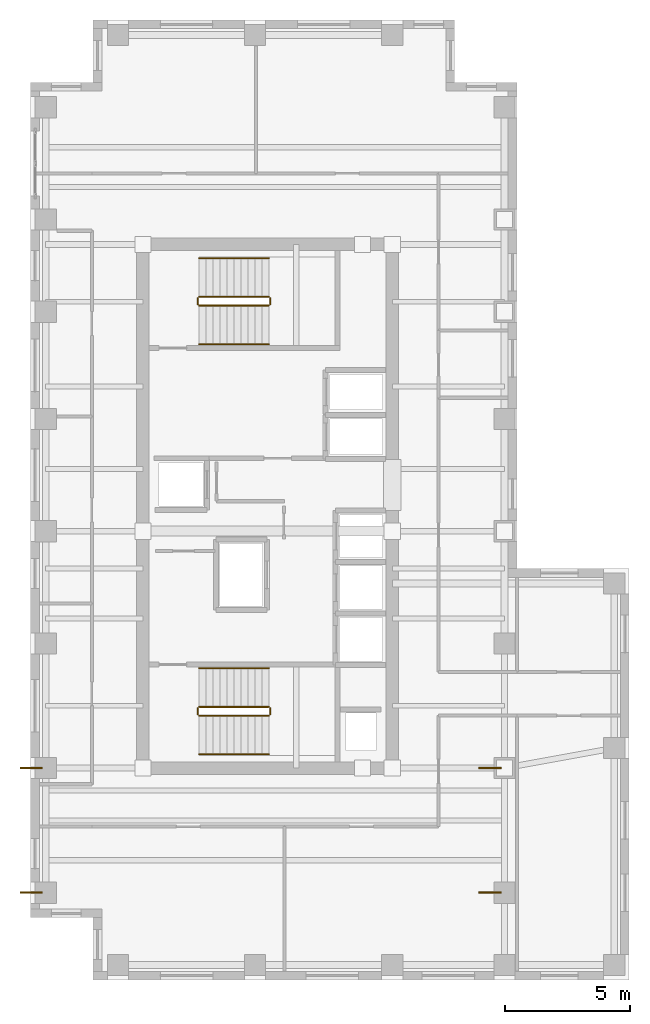
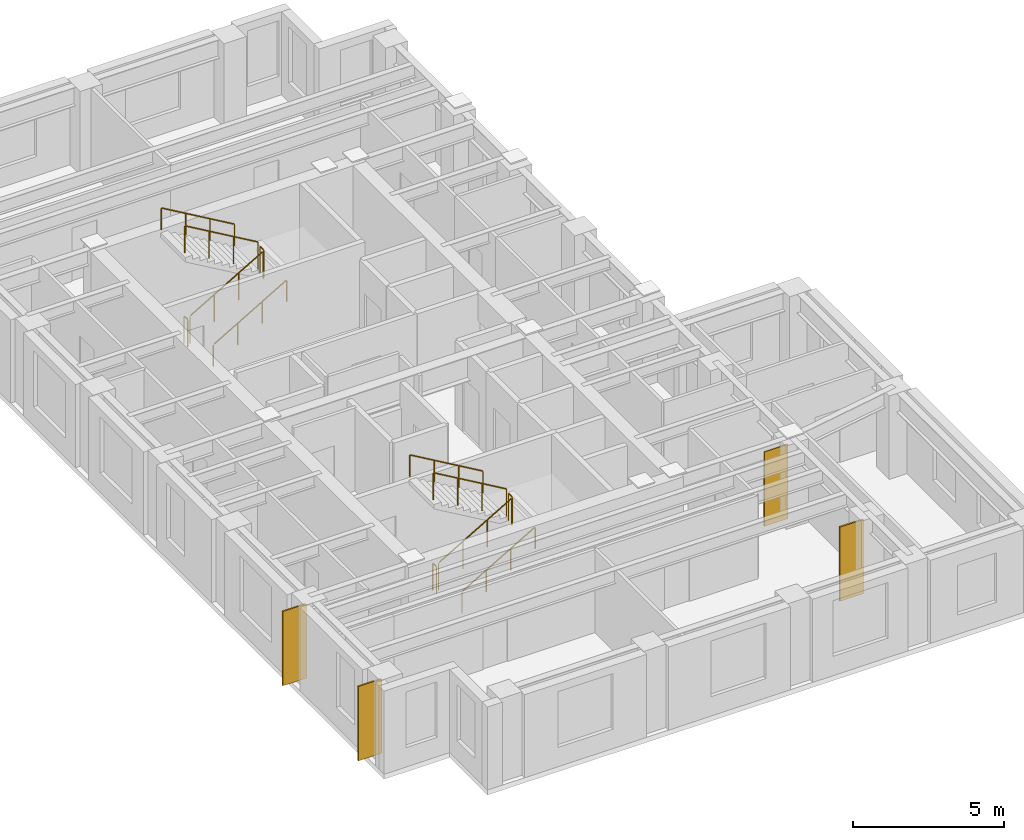
# One storey, part 10 of 10: 12 railings, 4 coverings.
"""IFC4 building model written with IfcOpenShell, lengths in metres."""

import ifcopenshell
import ifcopenshell.guid

model = None  # the IFC model being written
_history = None  # IfcOwnerHistory: only IFC2X3 demands one
_inside = {}  # id of a spatial element -> (the spatial element, [elements in it])
_under = {}  # id of a project, library or spatial element -> (it, [spatial elements below it])
_declared = {}  # id of a project -> (the project, [libraries it declares])
_typed = {}  # id of a type object -> (the type object, [elements of that type])
_made_of = {}  # id of a material, layer set ... -> (it, [elements and type objects made of it])


def new_model(schema):
    """Start an empty IFC model of exactly this schema.

    Asked for "IFC4X3", IfcOpenShell would pick the latest addendum, in which some entities
    have other attributes; the version numbers below select the first issue.
    IFC2X3 requires an IfcOwnerHistory on every rooted entity: one is made here for all.
    """
    global model, _history
    if schema == "IFC4X3":
        model = ifcopenshell.file(schema_version=(4, 3, 0, 0))
    else:
        model = ifcopenshell.file(schema=schema)
    _inside.clear()
    _under.clear()
    _declared.clear()
    _typed.clear()
    _made_of.clear()
    _history = None
    if model.schema == "IFC2X3":
        org = make("IfcOrganization", Name="unknown")
        user = make(
            "IfcPersonAndOrganization",
            ThePerson=make("IfcPerson", FamilyName="unknown"),
            TheOrganization=org,
        )
        app = make(
            "IfcApplication",
            ApplicationDeveloper=org,
            Version="unknown",
            ApplicationFullName="unknown",
            ApplicationIdentifier="unknown",
        )
        _history = make(
            "IfcOwnerHistory",
            OwningUser=user,
            OwningApplication=app,
            ChangeAction="ADDED",
            CreationDate=0,
        )
    return model


def make(cls, **values):
    """One entity of the class cls with the attributes given. An attribute that is None is left unset."""
    return model.create_entity(
        cls, **{name: value for name, value in values.items() if value is not None}
    )


def rooted(cls, **values):
    """An entity with a GlobalId (a new one), such as an element, a storey or a relation."""
    return make(cls, GlobalId=ifcopenshell.guid.new(), OwnerHistory=_history, **values)


def si_unit(unit_type, name, prefix=None):
    """IfcSIUnit, for example si_unit("LENGTHUNIT", "METRE", prefix="MILLI")."""
    return make("IfcSIUnit", UnitType=unit_type, Prefix=prefix, Name=name)


def assignment(units):
    """IfcUnitAssignment: the units of a project."""
    return None if units is None else make("IfcUnitAssignment", Units=units)


def point(xyz):
    """IfcCartesianPoint."""
    return None if xyz is None else make("IfcCartesianPoint", Coordinates=xyz)


def direction(xyz):
    """IfcDirection."""
    return None if xyz is None else make("IfcDirection", DirectionRatios=xyz)


def frame(location, z_axis=None, x_axis=None):
    """IfcAxis2Placement3D, a coordinate frame: its origin and axes. An axis left out is left unset."""
    return make(
        "IfcAxis2Placement3D",
        Location=point(location),
        Axis=direction(z_axis),
        RefDirection=direction(x_axis),
    )


def frame_2d(location, x_axis=None):
    """IfcAxis2Placement2D, a coordinate frame in the plane: its origin and x axis."""
    return make(
        "IfcAxis2Placement2D", Location=point(location), RefDirection=direction(x_axis)
    )


def origin():
    """The frame at (0, 0, 0) with its axes left unset."""
    return frame((0.0, 0.0, 0.0))


def origin_2d():
    """The frame at (0, 0) in the plane with its x axis left unset."""
    return frame_2d((0.0, 0.0))


def place(relative_to, where):
    """IfcLocalPlacement: puts the frame where relative to a parent placement (None: the world)."""
    return make(
        "IfcLocalPlacement", PlacementRelTo=relative_to, RelativePlacement=where
    )


def context(
    kind, dimensions, precision=None, world=None, true_north=None, identifier=None
):
    """IfcGeometricRepresentationContext, for example the 3D "Model" context."""
    return make(
        "IfcGeometricRepresentationContext",
        ContextIdentifier=identifier,
        ContextType=kind,
        CoordinateSpaceDimension=dimensions,
        Precision=precision,
        WorldCoordinateSystem=world,
        TrueNorth=true_north,
    )


def subcontext(parent, identifier, kind, view, scale=None):
    """IfcGeometricRepresentationSubContext, for example "Body" below "Model"."""
    return make(
        "IfcGeometricRepresentationSubContext",
        ContextIdentifier=identifier,
        ContextType=kind,
        ParentContext=parent,
        TargetScale=scale,
        TargetView=view,
    )


def project(units=None, contexts=None):
    """IfcProject with its units and contexts."""
    return rooted(
        "IfcProject",
        Name="project",
        RepresentationContexts=contexts,
        UnitsInContext=assignment(units),
    )


def spatial(cls, under=None, at=None, **own):
    """A site, building, storey or space (cls), placed at a placement, below another one or the project."""
    s = rooted(cls, ObjectPlacement=at, **own)
    if under is not None:
        _under.setdefault(under.id(), (under, []))[1].append(s)
    return s


def profile(cls, at=None, kind="AREA", **sizes):
    """A parametric profile (cls). Its sizes go by their IFC names, for example OverallWidth=200.0."""
    return make(cls, ProfileType=kind, Position=at, **sizes)


def rectangle(**sizes):
    """IfcRectangleProfileDef."""
    return profile("IfcRectangleProfileDef", **sizes)


def circle(**sizes):
    """IfcCircleProfileDef."""
    return profile("IfcCircleProfileDef", **sizes)


def extrude(swept, where, along, depth):
    """IfcExtrudedAreaSolid: the profile swept, set in the frame where, extruded along a direction by depth."""
    return make(
        "IfcExtrudedAreaSolid",
        SweptArea=swept,
        Position=where,
        ExtrudedDirection=direction(along),
        Depth=depth,
    )


def shape(context_of_items, identifier, shape_type, items):
    """IfcShapeRepresentation: the items that make up one representation, for example the "Body"."""
    return make(
        "IfcShapeRepresentation",
        ContextOfItems=context_of_items,
        RepresentationIdentifier=identifier,
        RepresentationType=shape_type,
        Items=items,
    )


def source(mapping_origin, context_of_items, identifier, shape_type, items):
    """IfcRepresentationMap: a shape defined once, which mapped items show again and again."""
    return make(
        "IfcRepresentationMap",
        MappingOrigin=mapping_origin,
        MappedRepresentation=shape(context_of_items, identifier, shape_type, items),
    )


def transform(
    local_origin,
    x_axis=None,
    y_axis=None,
    z_axis=None,
    scale=None,
    scale2=None,
    scale3=None,
    uniform=True,
):
    """IfcCartesianTransformationOperator3D, or its non-uniform kind. x_axis, y_axis, z_axis: its Axis1, 2, 3."""
    if uniform:
        return make(
            "IfcCartesianTransformationOperator3D",
            Axis1=direction(x_axis),
            Axis2=direction(y_axis),
            LocalOrigin=point(local_origin),
            Scale=scale,
            Axis3=direction(z_axis),
        )
    return make(
        "IfcCartesianTransformationOperator3DnonUniform",
        Axis1=direction(x_axis),
        Axis2=direction(y_axis),
        LocalOrigin=point(local_origin),
        Scale=scale,
        Axis3=direction(z_axis),
        Scale2=scale2,
        Scale3=scale3,
    )


def mapped(mapping_source, mapping_target):
    """IfcMappedItem: shows the shape of a source again, moved by a transform."""
    return make(
        "IfcMappedItem", MappingSource=mapping_source, MappingTarget=mapping_target
    )


def material(Name=None, Category=None):
    """IfcMaterial."""
    return make("IfcMaterial", Name=Name, Category=Category)


def layer(
    of_material, thickness, ventilated=None, Name=None, Category=None, Priority=None
):
    """IfcMaterialLayer: one layer of a wall or slab, of a material (None: an air gap)."""
    return make(
        "IfcMaterialLayer",
        Material=of_material,
        LayerThickness=thickness,
        IsVentilated=ventilated,
        Name=Name,
        Category=Category,
        Priority=Priority,
    )


def layer_set(layers, Name=None):
    """IfcMaterialLayerSet."""
    return make("IfcMaterialLayerSet", MaterialLayers=layers, LayerSetName=Name)


def made_of(thing, what):
    """Note that an element or type object is made of a material, layer set ...; save() writes the relation."""
    if what is not None:
        _made_of.setdefault(what.id(), (what, []))[1].append(thing)
    return thing


def type_object(cls, material=None, **own):
    """A type object (cls), such as IfcWallType, which elements share."""
    return made_of(rooted(cls, **own), material)


def element(
    cls,
    number,
    at=None,
    inside=None,
    cuts=None,
    type_object=None,
    material=None,
    context=None,
    identifier="Body",
    shape_type=None,
    held_by="IfcProductDefinitionShape",
    body=None,
    shapes=None,
    **own,
):
    """One element of the class cls, such as IfcWall. Its Tag is "e" and its number.

    at: its placement. inside: the storey or other place that contains it. cuts: it is an
    opening in that element (IfcRelVoidsElement). A single representation is given by context,
    identifier, shape_type and body (its items); several are given by shapes. held_by: the class
    of the entity that holds the representations. save() writes the other relations.
    """
    e = rooted(cls, Tag="e%d" % number, ObjectPlacement=at, **own)
    if body is not None:
        shapes = [shape(context, identifier, shape_type, body)]
    if shapes is not None:
        e.Representation = make(held_by, Representations=shapes)
    if inside is not None:
        _inside.setdefault(inside.id(), (inside, []))[1].append(e)
    if cuts is not None:
        rooted(
            "IfcRelVoidsElement", RelatingBuildingElement=cuts, RelatedOpeningElement=e
        )
    if type_object is not None:
        _typed.setdefault(type_object.id(), (type_object, []))[1].append(e)
    return made_of(e, material)


def aggregate(whole, parts):
    """IfcRelAggregates: a whole, such as a stair, and the parts it consists of."""
    return rooted("IfcRelAggregates", RelatingObject=whole, RelatedObjects=parts)


def save(model, path):
    """Write the relations noted so far, then the file.

    IfcRelAggregates (storeys below a building ...), IfcRelContainedInSpatialStructure (elements
    in a storey), IfcRelDefinesByType, IfcRelAssociatesMaterial and IfcRelDeclares: one each for
    every whole, place, type object, material and project.
    """
    for whole, parts in _under.values():
        aggregate(whole, parts)
    for where, things in _inside.values():
        rooted(
            "IfcRelContainedInSpatialStructure",
            RelatedElements=things,
            RelatingStructure=where,
        )
    for kind, things in _typed.values():
        rooted("IfcRelDefinesByType", RelatedObjects=things, RelatingType=kind)
    for what, things in _made_of.values():
        rooted("IfcRelAssociatesMaterial", RelatedObjects=things, RelatingMaterial=what)
    for by, libraries in _declared.values():
        rooted("IfcRelDeclares", RelatingContext=by, RelatedDefinitions=libraries)
    model.write(path)


model = new_model("IFC4")

# Units and contexts
model_context = context("Model", 3, precision=1e-05, world=origin(), true_north=direction((0.0, 1.0)))
body_context = subcontext(model_context, "Body", "Model", "MODEL_VIEW")
ifc_project = project(units=[si_unit("LENGTHUNIT", "METRE"), si_unit("AREAUNIT", "SQUARE_METRE"), si_unit("VOLUMEUNIT", "CUBIC_METRE"), si_unit("PLANEANGLEUNIT", "RADIAN"), si_unit("MASSUNIT", "GRAM", prefix="KILO")], contexts=[model_context])

# Site, building, storey
site_placement = place(None, origin())
site = spatial("IfcSite", under=ifc_project, at=site_placement, CompositionType="ELEMENT")
building_placement = place(site_placement, origin())
building = spatial("IfcBuilding", under=site, at=building_placement, Name="Kharzan Plaza Tower", CompositionType="ELEMENT")
storey_placement = place(building_placement, frame((0.0, 0.0, 273.60009765625)))
storey = spatial("IfcBuildingStorey", under=building, at=storey_placement, Name="L74", CompositionType="ELEMENT", Elevation=273.60009765625)

# Railings
ifc_material_1 = material(Name="Painted Galvanized Architectural Steel", Category="steel")
ifc_layer_1 = layer(ifc_material_1, 0.074951171875)
ifc_layer_set_1 = layer_set([ifc_layer_1], Name="Painted Galvanized Architectural Steel")
railing_type_1 = type_object("IfcRailingType", Name="RL-GUARD-1120", PredefinedType="BALUSTRADE", material=ifc_layer_set_1)
shared_shape_1 = source(origin(), body_context, "Body", "SweptSolid", [
    extrude(circle(Radius=0.02392578125, at=origin_2d()), frame((0.0, 0.0263671875, 1.09619140625), z_axis=(0.0, 1.0, 0.0), x_axis=(-1.0, 0.0, 0.0)), (0.0, 0.0, 1.0), 0.197021484375),
    extrude(circle(Radius=0.02099609375, at=origin_2d()), origin(), (0.0, 0.0, 1.0), 1.072021484375),
    extrude(circle(Radius=0.02099609375, at=origin_2d()), frame((0.0, 0.25, 0.0)), (0.0, 0.0, 1.0), 1.072021484375),
])
for number, where, name in (
    (1, (9.60009765625, 10.64990234375, 1.7998046875), "L74 ST-1 stair guard 2"),
    (2, (6.699951171875, 10.64990234375, 0.0), "L74 ST-1 stair guard 4"),
    (3, (9.60009765625, 27.10009765625, 1.7998046875), "L74 ST-2 stair guard 2"),
    (4, (6.699951171875, 27.10009765625, 0.0), "L74 ST-2 stair guard 4"),
):
    element("IfcRailing", number, at=place(storey_placement, frame(where)), inside=storey, type_object=railing_type_1, Name=name, PredefinedType="BALUSTRADE", context=body_context, shape_type="MappedRepresentation", body=[
        mapped(shared_shape_1, transform((0.0, 0.0, 0.0), x_axis=(1.0, 0.0, 0.0), y_axis=(0.0, 1.0, 0.0), z_axis=(0.0, 0.0, 1.0))),
    ])

# Coverings
ifc_material_2 = material(Name="Honed Riyadh Limestone", Category="masonry")
ifc_layer_2 = layer(ifc_material_2, 0.06005859375)
ifc_layer_set_2 = layer_set([ifc_layer_2], Name="Honed Riyadh Limestone")
covering_type = type_object("IfcCoveringType", Name="COV-CLAD-STONE", PredefinedType="CLADDING", material=ifc_layer_set_2)
shared_shape_2 = source(origin(), body_context, "Body", "SweptSolid", [
    extrude(rectangle(XDim=0.06005859375, YDim=0.89990234375, at=origin_2d()), origin(), (0.0, 0.0, 1.0), 3.0),
])
for number, where, z_axis, x_axis, name in (
    (5, (18.419921875, 3.5, 0.099853515625), (0.0, 0.0, 1.0), (0.0, 1.0, 0.0), "L74 Limestone Pier Rainscreen Cladding TCA-35"),
    (6, (18.419921875, 8.5, 0.099853515625), (0.0, 0.0, 1.0), (0.0, 1.0, 0.0), "L74 Limestone Pier Rainscreen Cladding TCA-85"),
    (7, (0.02001953125, 3.5, 0.099853515625), (0.0, 0.0, 1.0), (0.0, 1.0, 0.0), "L74 Limestone Pier Rainscreen Cladding TCW-35"),
    (8, (0.02001953125, 8.5, 0.099853515625), (0.0, 0.0, 1.0), (0.0, 1.0, 0.0), "L74 Limestone Pier Rainscreen Cladding TCW-85"),
):
    element("IfcCovering", number, at=place(storey_placement, frame(where, z_axis=z_axis, x_axis=x_axis)), inside=storey, type_object=covering_type, Name=name, PredefinedType="CLADDING", context=body_context, shape_type="MappedRepresentation", body=[
        mapped(shared_shape_2, transform((0.0, 0.0, 0.0), x_axis=(1.0, 0.0, 0.0), y_axis=(0.0, 1.0, 0.0), z_axis=(0.0, 0.0, 1.0))),
    ])

# Railings
shared_shape_3 = source(origin(), body_context, "Body", "SweptSolid", [
    extrude(circle(Radius=0.02392578125, at=origin_2d()), frame((0.02294921875, 0.0, 1.109375), z_axis=(0.863393664356, 0.0, 0.504530851732), x_axis=(0.0, 1.0, 0.0)), (0.0, 0.0, 1.0), 3.190185546875),
    extrude(circle(Radius=0.02099609375, at=origin_2d()), origin(), (0.0, 0.0, 1.0), 1.072021484375),
    extrude(circle(Radius=0.02099609375, at=origin_2d()), frame((0.933349609375, 0.0, 0.54541015625)), (0.0, 0.0, 1.0), 1.072021484375),
    extrude(circle(Radius=0.02099609375, at=origin_2d()), frame((1.86669921875, 0.0, 1.0908203125)), (0.0, 0.0, 1.0), 1.072021484375),
    extrude(circle(Radius=0.02099609375, at=origin_2d()), frame((2.800048828125, 0.0, 1.63623046875)), (0.0, 0.0, 1.0), 1.072021484375),
])
for number, where, name in (
    (9, (6.75, 10.60009765625, 0.16357421875), "L74 ST-1 stair guard 1"),
    (10, (6.75, 27.050048828125, 0.16357421875), "L74 ST-2 stair guard 1"),
):
    element("IfcRailing", number, at=place(storey_placement, frame(where)), inside=storey, type_object=railing_type_1, Name=name, PredefinedType="BALUSTRADE", context=body_context, shape_type="MappedRepresentation", body=[
        mapped(shared_shape_3, transform((0.0, 0.0, 0.0), x_axis=(1.0, 0.0, 0.0), y_axis=(0.0, 1.0, 0.0), z_axis=(0.0, 0.0, 1.0))),
    ])
shared_shape_4 = source(origin(), body_context, "Body", "SweptSolid", [
    extrude(circle(Radius=0.02392578125, at=origin_2d()), frame((-0.02294921875, 0.0, 1.109375), z_axis=(-0.863393664356, 0.0, 0.504530851732), x_axis=(0.0, -1.0, 0.0)), (0.0, 0.0, 1.0), 3.190185546875),
    extrude(circle(Radius=0.02099609375, at=origin_2d()), origin(), (0.0, 0.0, 1.0), 1.072021484375),
    extrude(circle(Radius=0.02099609375, at=origin_2d()), frame((-0.933349609375, 0.0, 0.54541015625)), (0.0, 0.0, 1.0), 1.072021484375),
    extrude(circle(Radius=0.02099609375, at=origin_2d()), frame((-1.86669921875, 0.0, 1.0908203125)), (0.0, 0.0, 1.0), 1.072021484375),
    extrude(circle(Radius=0.02099609375, at=origin_2d()), frame((-2.800048828125, 0.0, 1.63623046875)), (0.0, 0.0, 1.0), 1.072021484375),
])
for number, where, name in (
    (11, (9.550048828125, 10.949951171875, 1.963623046875), "L74 ST-1 stair guard 3"),
    (12, (9.550048828125, 27.39990234375, 1.963623046875), "L74 ST-2 stair guard 3"),
):
    element("IfcRailing", number, at=place(storey_placement, frame(where)), inside=storey, type_object=railing_type_1, Name=name, PredefinedType="BALUSTRADE", context=body_context, shape_type="MappedRepresentation", body=[
        mapped(shared_shape_4, transform((0.0, 0.0, 0.0), x_axis=(1.0, 0.0, 0.0), y_axis=(0.0, 1.0, 0.0), z_axis=(0.0, 0.0, 1.0))),
    ])
ifc_material_3 = material(Name="Brushed Stainless Steel", Category="steel")
ifc_layer_3 = layer(ifc_material_3, 0.050048828125)
ifc_layer_set_3 = layer_set([ifc_layer_3], Name="Brushed Stainless Steel")
railing_type_2 = type_object("IfcRailingType", Name="RL-STAIR-HR920", PredefinedType="HANDRAIL", material=ifc_layer_set_3)
shared_shape_5 = source(origin(), body_context, "Body", "SweptSolid", [
    extrude(circle(Radius=0.02392578125, at=origin_2d()), frame((0.02294921875, 0.0, 0.88916015625), z_axis=(0.863393664356, 0.0, 0.504530851732), x_axis=(0.0, 1.0, 0.0)), (0.0, 0.0, 1.0), 3.190185546875),
    extrude(circle(Radius=0.02099609375, at=origin_2d()), origin(), (0.0, 0.0, 1.0), 0.851806640625),
    extrude(circle(Radius=0.02099609375, at=origin_2d()), frame((0.933349609375, 0.0, 0.54541015625)), (0.0, 0.0, 1.0), 0.851806640625),
    extrude(circle(Radius=0.02099609375, at=origin_2d()), frame((1.86669921875, 0.0, 1.0908203125)), (0.0, 0.0, 1.0), 0.851806640625),
    extrude(circle(Radius=0.02099609375, at=origin_2d()), frame((2.800048828125, 0.0, 1.63623046875)), (0.0, 0.0, 1.0), 0.851806640625),
])
for number, where, name in (
    (13, (6.75, 9.050048828125, 0.16357421875), "L74 ST-1 stair handrail 1"),
    (14, (6.75, 25.5, 0.16357421875), "L74 ST-2 stair handrail 1"),
):
    element("IfcRailing", number, at=place(storey_placement, frame(where)), inside=storey, type_object=railing_type_2, Name=name, PredefinedType="HANDRAIL", context=body_context, shape_type="MappedRepresentation", body=[
        mapped(shared_shape_5, transform((0.0, 0.0, 0.0), x_axis=(1.0, 0.0, 0.0), y_axis=(0.0, 1.0, 0.0), z_axis=(0.0, 0.0, 1.0))),
    ])
shared_shape_6 = source(origin(), body_context, "Body", "SweptSolid", [
    extrude(circle(Radius=0.02392578125, at=origin_2d()), frame((-0.02294921875, 0.0, 0.88916015625), z_axis=(-0.863393664356, 0.0, 0.504530851732), x_axis=(0.0, -1.0, 0.0)), (0.0, 0.0, 1.0), 3.190185546875),
    extrude(circle(Radius=0.02099609375, at=origin_2d()), origin(), (0.0, 0.0, 1.0), 0.851806640625),
    extrude(circle(Radius=0.02099609375, at=origin_2d()), frame((-0.933349609375, 0.0, 0.54541015625)), (0.0, 0.0, 1.0), 0.851806640625),
    extrude(circle(Radius=0.02099609375, at=origin_2d()), frame((-1.86669921875, 0.0, 1.0908203125)), (0.0, 0.0, 1.0), 0.851806640625),
    extrude(circle(Radius=0.02099609375, at=origin_2d()), frame((-2.800048828125, 0.0, 1.63623046875)), (0.0, 0.0, 1.0), 0.851806640625),
])
for number, where, name in (
    (15, (9.550048828125, 12.5, 1.963623046875), "L74 ST-1 stair handrail 2"),
    (16, (9.550048828125, 28.949951171875, 1.963623046875), "L74 ST-2 stair handrail 2"),
):
    element("IfcRailing", number, at=place(storey_placement, frame(where)), inside=storey, type_object=railing_type_2, Name=name, PredefinedType="HANDRAIL", context=body_context, shape_type="MappedRepresentation", body=[
        mapped(shared_shape_6, transform((0.0, 0.0, 0.0), x_axis=(1.0, 0.0, 0.0), y_axis=(0.0, 1.0, 0.0), z_axis=(0.0, 0.0, 1.0))),
    ])

save(model, "model.ifc")
